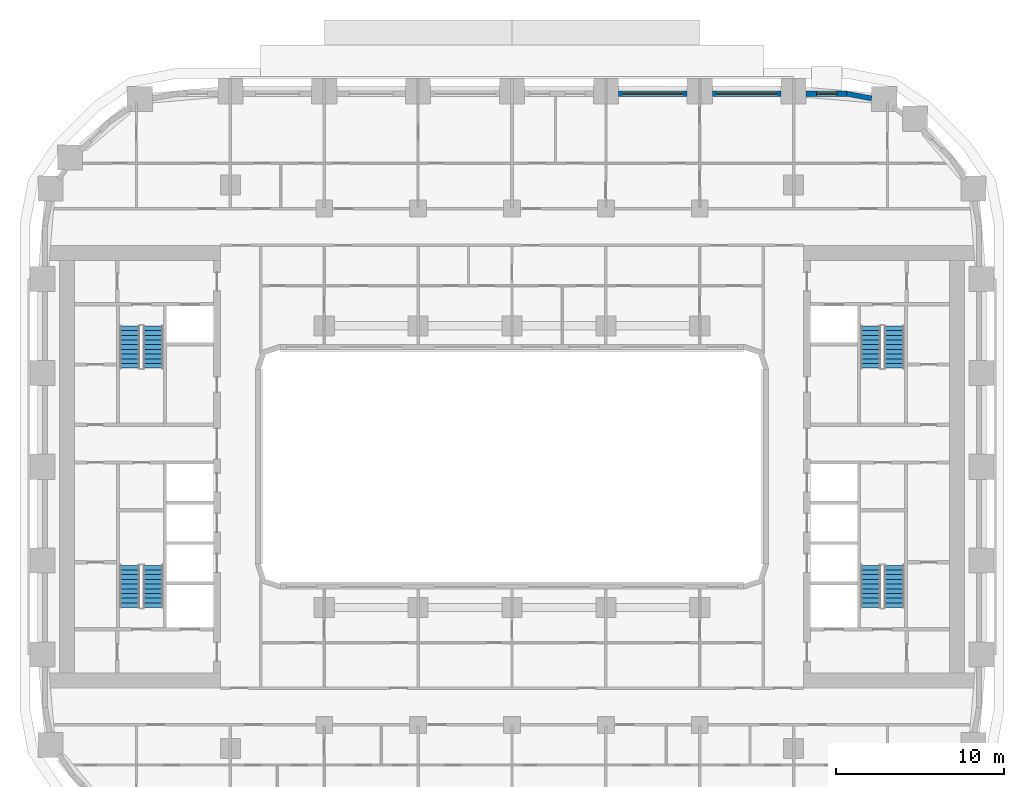
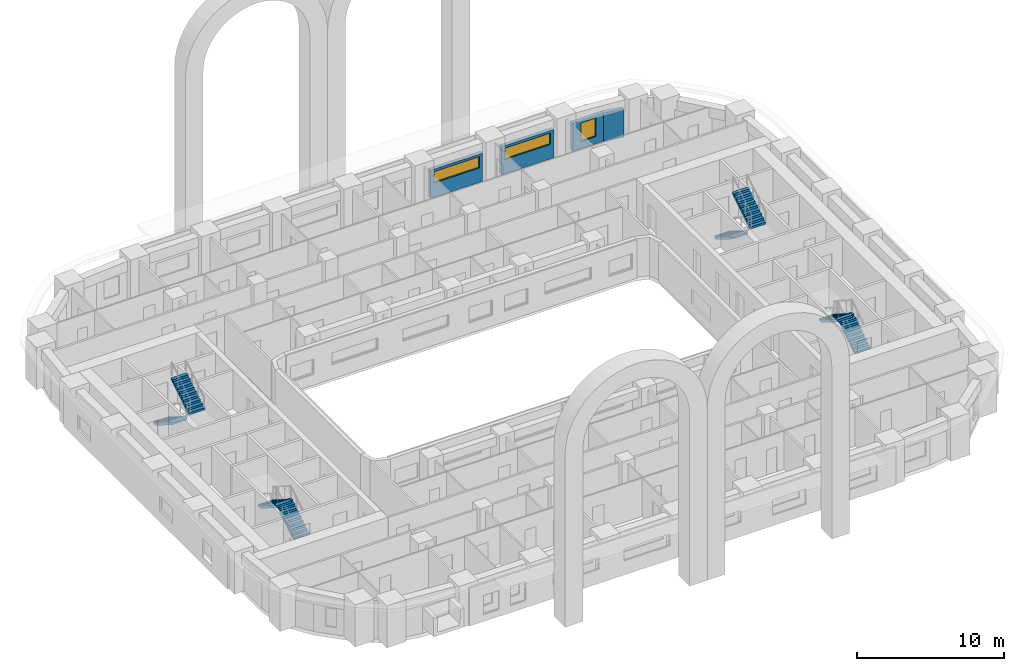
# One storey, part 10 of 21: 8 stair flights, 4 walls, 3 windows, 3 openings, 4 elements without a shape of their own.
"""IFC4 building model written with IfcOpenShell, lengths in metres."""

from ifc_helpers import new_model, si_unit, direction, frame, frame_2d, origin, place, context, subcontext, project, spatial, polyline, rectangle, outline, extrude, material, layer, layer_set, type_object, element, fill, aggregate, save


model = new_model("IFC4")

# Units and contexts
model_context = context("Model", 3, precision=1e-05, world=origin(), true_north=direction((0.0, 1.0)))
body_context = subcontext(model_context, "Body", "Model", "MODEL_VIEW")
ifc_project = project(units=[si_unit("LENGTHUNIT", "METRE"), si_unit("AREAUNIT", "SQUARE_METRE"), si_unit("VOLUMEUNIT", "CUBIC_METRE"), si_unit("PLANEANGLEUNIT", "RADIAN"), si_unit("MASSUNIT", "GRAM", prefix="KILO")], contexts=[model_context])

# Site, building, storey
site_placement = place(None, origin())
site = spatial("IfcSite", under=ifc_project, at=site_placement, CompositionType="ELEMENT")
building_placement = place(site_placement, origin())
building = spatial("IfcBuilding", under=site, at=building_placement, Name="Kiln Ring Residences", CompositionType="ELEMENT")
storey_placement = place(building_placement, frame((0.0, 0.0, 51.5)))
storey = spatial("IfcBuildingStorey", under=building, at=storey_placement, Name="L12", CompositionType="ELEMENT", Elevation=51.5)

# Wall
ifc_material_1 = material(Name="Brick masonry, dark clay brick", Category="masonry")
ifc_layer = layer(ifc_material_1, 0.300048828125)
ifc_layer_set = layer_set([ifc_layer], Name="EW-300 BRICK WALL")
wall_type = type_object("IfcWallType", Name="EW-300 BRICK WALL", PredefinedType="SOLIDWALL", material=ifc_layer_set)
wall_1_placement = place(storey_placement, frame((21.451416015625, 21.970458984375, 0.0), z_axis=(0.0, 0.0, 1.0), x_axis=(-0.982287454367, 0.187380247071, 0.0)))
element("IfcWall", 1, at=wall_1_placement, inside=storey, type_object=wall_type, Name="Facade wall L12 27", PredefinedType="SOLIDWALL", context=body_context, shape_type="SweptSolid", body=[
    extrude(rectangle(XDim=1.506103515625, YDim=0.300048828125, at=frame_2d((0.7529296875, 0.0))), origin(), (0.0, 0.0, 1.0), 2.35009765625),
])

# Wall, opening, window
wall_2_placement = place(storey_placement, frame((20.0, 22.25, 0.0), z_axis=(0.0, 0.0, 1.0), x_axis=(-1.0, 0.0, 0.0)))
wall_2 = element("IfcWall", 2, at=wall_2_placement, inside=storey, type_object=wall_type, Name="Facade wall L12 28", PredefinedType="SOLIDWALL", context=body_context, shape_type="SweptSolid", body=[
    extrude(rectangle(XDim=2.449951171875, YDim=0.300048828125, at=frame_2d((1.22509765625, 0.0))), origin(), (0.0, 0.0, 1.0), 2.35009765625),
])
opening_1_placement = place(wall_2_placement, frame((0.625, 0.0, 0.60009765625)))
opening_1 = element("IfcOpeningElement", 3, at=opening_1_placement, cuts=wall_2, Name="Opening W1", PredefinedType="OPENING", context=body_context, shape_type="SweptSolid", body=[
    extrude(rectangle(XDim=1.199951171875, YDim=1.550048828125, at=frame_2d((0.60009765625, 0.77490234375))), frame((0.0, 0.159912109375, 0.0), z_axis=(0.0, -1.0, 0.0), x_axis=(1.0, 0.0, 0.0)), (0.0, 0.0, 1.0), 0.320068359375),
])
ifc_material_2 = material(Name="Aluminium frame with double glazing", Category="aluminium")
window_type_1 = type_object("IfcWindowType", Name="WINDOW 1200 x 1550", PartitioningType="SINGLE_PANEL", PredefinedType="WINDOW", material=ifc_material_2)
window_1_placement = place(opening_1_placement, origin())
window_1 = element("IfcWindow", 4, at=window_1_placement, inside=storey, type_object=window_type_1, Name="Window L12 13", OverallHeight=1.550048828125, OverallWidth=1.199951171875, PartitioningType="SINGLE_PANEL", PredefinedType="WINDOW", context=body_context, shape_type="SweptSolid", body=[
    extrude(rectangle(XDim=1.199951171875, YDim=1.550048828125, at=frame_2d((0.60009765625, 0.77490234375))), frame((0.0, 0.030029296875, 0.0), z_axis=(0.0, -1.0, 0.0), x_axis=(1.0, 0.0, 0.0)), (0.0, 0.0, 1.0), 0.06005859375),
])
fill(opening_1, window_1)

wall_3_placement = place(storey_placement, frame((16.050048828125, 22.25, 0.0), z_axis=(0.0, 0.0, 1.0), x_axis=(-1.0, 0.0, 0.0)))
wall_3 = element("IfcWall", 5, at=wall_3_placement, inside=storey, type_object=wall_type, Name="Facade wall L12 29", PredefinedType="SOLIDWALL", context=body_context, shape_type="SweptSolid", body=[
    extrude(rectangle(XDim=4.10009765625, YDim=0.300048828125, at=frame_2d((2.050048828125, 0.0))), origin(), (0.0, 0.0, 1.0), 2.35009765625),
])
opening_2_placement = place(wall_3_placement, frame((0.25, 0.0, 1.199951171875)))
opening_2 = element("IfcOpeningElement", 6, at=opening_2_placement, cuts=wall_3, Name="Opening W4", PredefinedType="OPENING", context=body_context, shape_type="SweptSolid", body=[
    extrude(rectangle(XDim=3.60009765625, YDim=0.949951171875, at=frame_2d((1.800048828125, 0.47509765625))), frame((0.0, 0.159912109375, 0.0), z_axis=(0.0, -1.0, 0.0), x_axis=(1.0, 0.0, 0.0)), (0.0, 0.0, 1.0), 0.320068359375),
])
ifc_material_3 = material(Name="Aluminium frame with double glazing", Category="aluminium")
window_type_2 = type_object("IfcWindowType", Name="WINDOW 3600 x 950", PartitioningType="SINGLE_PANEL", PredefinedType="WINDOW", material=ifc_material_3)
window_2_placement = place(opening_2_placement, origin())
window_2 = element("IfcWindow", 7, at=window_2_placement, inside=storey, type_object=window_type_2, Name="Window L12 14", OverallHeight=0.949951171875, OverallWidth=3.60009765625, PartitioningType="SINGLE_PANEL", PredefinedType="WINDOW", context=body_context, shape_type="SweptSolid", body=[
    extrude(rectangle(XDim=3.60009765625, YDim=0.949951171875, at=frame_2d((1.800048828125, 0.47509765625))), frame((0.0, 0.030029296875, 0.0), z_axis=(0.0, -1.0, 0.0), x_axis=(1.0, 0.0, 0.0)), (0.0, 0.0, 1.0), 0.06005859375),
])
fill(opening_2, window_2)

wall_4_placement = place(storey_placement, frame((10.449951171875, 22.25, 0.0), z_axis=(0.0, 0.0, 1.0), x_axis=(-1.0, 0.0, 0.0)))
wall_4 = element("IfcWall", 8, at=wall_4_placement, inside=storey, type_object=wall_type, Name="Facade wall L12 30", PredefinedType="SOLIDWALL", context=body_context, shape_type="SweptSolid", body=[
    extrude(rectangle(XDim=4.099853515625, YDim=0.300048828125, at=frame_2d((2.0498046875, 0.0))), origin(), (0.0, 0.0, 1.0), 2.35009765625),
])
opening_3_placement = place(wall_4_placement, frame((0.25, 0.0, 1.199951171875)))
opening_3 = element("IfcOpeningElement", 9, at=opening_3_placement, cuts=wall_4, Name="Opening W4", PredefinedType="OPENING", context=body_context, shape_type="SweptSolid", body=[
    extrude(rectangle(XDim=3.60009765625, YDim=0.949951171875, at=frame_2d((1.800048828125, 0.47509765625))), frame((0.0, 0.159912109375, 0.0), z_axis=(0.0, -1.0, 0.0), x_axis=(1.0, 0.0, 0.0)), (0.0, 0.0, 1.0), 0.320068359375),
])
window_3_placement = place(opening_3_placement, origin())
window_3 = element("IfcWindow", 10, at=window_3_placement, inside=storey, type_object=window_type_2, Name="Window L12 15", OverallHeight=0.949951171875, OverallWidth=3.60009765625, PartitioningType="SINGLE_PANEL", PredefinedType="WINDOW", context=body_context, shape_type="SweptSolid", body=[
    extrude(rectangle(XDim=3.60009765625, YDim=0.949951171875, at=frame_2d((1.800048828125, 0.47509765625))), frame((0.0, 0.030029296875, 0.0), z_axis=(0.0, -1.0, 0.0), x_axis=(1.0, 0.0, 0.0)), (0.0, 0.0, 1.0), 0.06005859375),
])
fill(opening_3, window_3)

# Stair, stair flights
ifc_material_4 = material(Name="Concrete C40/50", Category="concrete")
stair_type = type_object("IfcStairType", Name="CORE-STAIR", PredefinedType="HALF_TURN_STAIR", material=ifc_material_4)
placement = place(storey_placement, origin())
stair_1 = element("IfcStair", 11, at=placement, inside=storey, type_object=stair_type, Name="L12 stair W-STN", PredefinedType="HALF_TURN_STAIR")
ifc_material_5 = material(Name="Concrete C40/50", Category="concrete")
stair_flight_type = type_object("IfcStairFlightType", Name="CORE-STAIR-FLIGHT", PredefinedType="STRAIGHT", material=ifc_material_5)
stair_flight_1_placement = place(storey_placement, frame((-22.800048828125, 8.39990234375, 0.0), z_axis=(0.0, 0.0, 1.0), x_axis=(0.0, -1.0, 0.0)))
stair_flight_1 = element("IfcStairFlight", 12, at=stair_flight_1_placement, type_object=stair_flight_type, Name="W-STN flight 1", NumberOfRisers=10, NumberOfTreads=9, PredefinedType="STRAIGHT", RiserHeight=0.175, TreadLength=0.28, context=body_context, shape_type="SweptSolid", body=[
    extrude(outline(polyline([(0.0, 0.0), (0.0, 0.175048828125), (0.280029296875, 0.175048828125), (0.280029296875, 0.35009765625), (0.56005859375, 0.35009765625), (0.56005859375, 0.52490234375), (0.840087890625, 0.52490234375), (0.840087890625, 0.699951171875), (1.1201171875, 0.699951171875), (1.1201171875, 0.875), (1.39990234375, 0.875), (1.39990234375, 1.050048828125), (1.679931640625, 1.050048828125), (1.679931640625, 1.22509765625), (1.9599609375, 1.22509765625), (1.9599609375, 1.39990234375), (2.239990234375, 1.39990234375), (2.239990234375, 1.574951171875), (2.52001953125, 1.574951171875), (2.52001953125, 1.75), (2.52001953125, 1.398193359375), (0.28271484375, 0.0), (0.0, 0.0)])), frame((0.0, 0.60009765625, 0.0), z_axis=(0.0, -1.0, 0.0), x_axis=(1.0, 0.0, 0.0)), (0.0, 0.0, 1.0), 1.199951171875),
])
stair_flight_2_placement = place(storey_placement, frame((-21.39990234375, 5.8798828125, 1.75), z_axis=(0.0, 0.0, 1.0), x_axis=(0.0, 1.0, 0.0)))
stair_flight_2 = element("IfcStairFlight", 13, at=stair_flight_2_placement, type_object=stair_flight_type, Name="W-STN flight 2", NumberOfRisers=10, NumberOfTreads=9, PredefinedType="STRAIGHT", RiserHeight=0.175, TreadLength=0.28, context=body_context, shape_type="SweptSolid", body=[
    extrude(outline(polyline([(0.0, 0.0), (0.0, 0.175048828125), (0.280029296875, 0.175048828125), (0.280029296875, 0.35009765625), (0.56005859375, 0.35009765625), (0.56005859375, 0.52490234375), (0.840087890625, 0.52490234375), (0.840087890625, 0.699951171875), (1.1201171875, 0.699951171875), (1.1201171875, 0.875), (1.39990234375, 0.875), (1.39990234375, 1.050048828125), (1.679931640625, 1.050048828125), (1.679931640625, 1.22509765625), (1.9599609375, 1.22509765625), (1.9599609375, 1.39990234375), (2.239990234375, 1.39990234375), (2.239990234375, 1.574951171875), (2.52001953125, 1.574951171875), (2.52001953125, 1.75), (2.52001953125, 1.398193359375), (0.28271484375, 0.0), (0.0, 0.0)])), frame((0.0, 0.60009765625, 0.0), z_axis=(0.0, -1.0, 0.0), x_axis=(1.0, 0.0, 0.0)), (0.0, 0.0, 1.0), 1.199951171875),
])
aggregate(stair_1, [stair_flight_1, stair_flight_2])

stair_2 = element("IfcStair", 14, at=placement, inside=storey, type_object=stair_type, Name="L12 stair W-STS", PredefinedType="HALF_TURN_STAIR")
stair_flight_3_placement = place(storey_placement, frame((-21.39990234375, -8.39990234375, 0.0), z_axis=(0.0, 0.0, 1.0), x_axis=(0.0, 1.0, 0.0)))
stair_flight_3 = element("IfcStairFlight", 15, at=stair_flight_3_placement, type_object=stair_flight_type, Name="W-STS flight 1", NumberOfRisers=10, NumberOfTreads=9, PredefinedType="STRAIGHT", RiserHeight=0.175, TreadLength=0.28, context=body_context, shape_type="SweptSolid", body=[
    extrude(outline(polyline([(0.0, 0.0), (0.0, 0.175048828125), (0.280029296875, 0.175048828125), (0.280029296875, 0.35009765625), (0.56005859375, 0.35009765625), (0.56005859375, 0.52490234375), (0.840087890625, 0.52490234375), (0.840087890625, 0.699951171875), (1.1201171875, 0.699951171875), (1.1201171875, 0.875), (1.39990234375, 0.875), (1.39990234375, 1.050048828125), (1.679931640625, 1.050048828125), (1.679931640625, 1.22509765625), (1.9599609375, 1.22509765625), (1.9599609375, 1.39990234375), (2.239990234375, 1.39990234375), (2.239990234375, 1.574951171875), (2.52001953125, 1.574951171875), (2.52001953125, 1.75), (2.52001953125, 1.398193359375), (0.28271484375, 0.0), (0.0, 0.0)])), frame((0.0, 0.60009765625, 0.0), z_axis=(0.0, -1.0, 0.0), x_axis=(1.0, 0.0, 0.0)), (0.0, 0.0, 1.0), 1.199951171875),
])
stair_flight_4_placement = place(storey_placement, frame((-22.800048828125, -5.8798828125, 1.75), z_axis=(0.0, 0.0, 1.0), x_axis=(0.0, -1.0, 0.0)))
stair_flight_4 = element("IfcStairFlight", 16, at=stair_flight_4_placement, type_object=stair_flight_type, Name="W-STS flight 2", NumberOfRisers=10, NumberOfTreads=9, PredefinedType="STRAIGHT", RiserHeight=0.175, TreadLength=0.28, context=body_context, shape_type="SweptSolid", body=[
    extrude(outline(polyline([(0.0, 0.0), (0.0, 0.175048828125), (0.280029296875, 0.175048828125), (0.280029296875, 0.35009765625), (0.56005859375, 0.35009765625), (0.56005859375, 0.52490234375), (0.840087890625, 0.52490234375), (0.840087890625, 0.699951171875), (1.1201171875, 0.699951171875), (1.1201171875, 0.875), (1.39990234375, 0.875), (1.39990234375, 1.050048828125), (1.679931640625, 1.050048828125), (1.679931640625, 1.22509765625), (1.9599609375, 1.22509765625), (1.9599609375, 1.39990234375), (2.239990234375, 1.39990234375), (2.239990234375, 1.574951171875), (2.52001953125, 1.574951171875), (2.52001953125, 1.75), (2.52001953125, 1.398193359375), (0.28271484375, 0.0), (0.0, 0.0)])), frame((0.0, 0.60009765625, 0.0), z_axis=(0.0, -1.0, 0.0), x_axis=(1.0, 0.0, 0.0)), (0.0, 0.0, 1.0), 1.199951171875),
])
aggregate(stair_2, [stair_flight_3, stair_flight_4])

stair_3 = element("IfcStair", 17, at=placement, inside=storey, type_object=stair_type, Name="L12 stair E-STN", PredefinedType="HALF_TURN_STAIR")
stair_flight_5_placement = place(storey_placement, frame((21.39990234375, 8.39990234375, 0.0), z_axis=(0.0, 0.0, 1.0), x_axis=(0.0, -1.0, 0.0)))
stair_flight_5 = element("IfcStairFlight", 18, at=stair_flight_5_placement, type_object=stair_flight_type, Name="E-STN flight 1", NumberOfRisers=10, NumberOfTreads=9, PredefinedType="STRAIGHT", RiserHeight=0.175, TreadLength=0.28, context=body_context, shape_type="SweptSolid", body=[
    extrude(outline(polyline([(0.0, 0.0), (0.0, 0.175048828125), (0.280029296875, 0.175048828125), (0.280029296875, 0.35009765625), (0.56005859375, 0.35009765625), (0.56005859375, 0.52490234375), (0.840087890625, 0.52490234375), (0.840087890625, 0.699951171875), (1.1201171875, 0.699951171875), (1.1201171875, 0.875), (1.39990234375, 0.875), (1.39990234375, 1.050048828125), (1.679931640625, 1.050048828125), (1.679931640625, 1.22509765625), (1.9599609375, 1.22509765625), (1.9599609375, 1.39990234375), (2.239990234375, 1.39990234375), (2.239990234375, 1.574951171875), (2.52001953125, 1.574951171875), (2.52001953125, 1.75), (2.52001953125, 1.398193359375), (0.28271484375, 0.0), (0.0, 0.0)])), frame((0.0, 0.60009765625, 0.0), z_axis=(0.0, -1.0, 0.0), x_axis=(1.0, 0.0, 0.0)), (0.0, 0.0, 1.0), 1.199951171875),
])
stair_flight_6_placement = place(storey_placement, frame((22.800048828125, 5.8798828125, 1.75), z_axis=(0.0, 0.0, 1.0), x_axis=(0.0, 1.0, 0.0)))
stair_flight_6 = element("IfcStairFlight", 19, at=stair_flight_6_placement, type_object=stair_flight_type, Name="E-STN flight 2", NumberOfRisers=10, NumberOfTreads=9, PredefinedType="STRAIGHT", RiserHeight=0.175, TreadLength=0.28, context=body_context, shape_type="SweptSolid", body=[
    extrude(outline(polyline([(0.0, 0.0), (0.0, 0.175048828125), (0.280029296875, 0.175048828125), (0.280029296875, 0.35009765625), (0.56005859375, 0.35009765625), (0.56005859375, 0.52490234375), (0.840087890625, 0.52490234375), (0.840087890625, 0.699951171875), (1.1201171875, 0.699951171875), (1.1201171875, 0.875), (1.39990234375, 0.875), (1.39990234375, 1.050048828125), (1.679931640625, 1.050048828125), (1.679931640625, 1.22509765625), (1.9599609375, 1.22509765625), (1.9599609375, 1.39990234375), (2.239990234375, 1.39990234375), (2.239990234375, 1.574951171875), (2.52001953125, 1.574951171875), (2.52001953125, 1.75), (2.52001953125, 1.398193359375), (0.28271484375, 0.0), (0.0, 0.0)])), frame((0.0, 0.60009765625, 0.0), z_axis=(0.0, -1.0, 0.0), x_axis=(1.0, 0.0, 0.0)), (0.0, 0.0, 1.0), 1.199951171875),
])
aggregate(stair_3, [stair_flight_5, stair_flight_6])

stair_4 = element("IfcStair", 20, at=placement, inside=storey, type_object=stair_type, Name="L12 stair E-STS", PredefinedType="HALF_TURN_STAIR")
stair_flight_7_placement = place(storey_placement, frame((22.800048828125, -8.39990234375, 0.0), z_axis=(0.0, 0.0, 1.0), x_axis=(0.0, 1.0, 0.0)))
stair_flight_7 = element("IfcStairFlight", 21, at=stair_flight_7_placement, type_object=stair_flight_type, Name="E-STS flight 1", NumberOfRisers=10, NumberOfTreads=9, PredefinedType="STRAIGHT", RiserHeight=0.175, TreadLength=0.28, context=body_context, shape_type="SweptSolid", body=[
    extrude(outline(polyline([(0.0, 0.0), (0.0, 0.175048828125), (0.280029296875, 0.175048828125), (0.280029296875, 0.35009765625), (0.56005859375, 0.35009765625), (0.56005859375, 0.52490234375), (0.840087890625, 0.52490234375), (0.840087890625, 0.699951171875), (1.1201171875, 0.699951171875), (1.1201171875, 0.875), (1.39990234375, 0.875), (1.39990234375, 1.050048828125), (1.679931640625, 1.050048828125), (1.679931640625, 1.22509765625), (1.9599609375, 1.22509765625), (1.9599609375, 1.39990234375), (2.239990234375, 1.39990234375), (2.239990234375, 1.574951171875), (2.52001953125, 1.574951171875), (2.52001953125, 1.75), (2.52001953125, 1.398193359375), (0.28271484375, 0.0), (0.0, 0.0)])), frame((0.0, 0.60009765625, 0.0), z_axis=(0.0, -1.0, 0.0), x_axis=(1.0, 0.0, 0.0)), (0.0, 0.0, 1.0), 1.199951171875),
])
stair_flight_8_placement = place(storey_placement, frame((21.39990234375, -5.8798828125, 1.75), z_axis=(0.0, 0.0, 1.0), x_axis=(0.0, -1.0, 0.0)))
stair_flight_8 = element("IfcStairFlight", 22, at=stair_flight_8_placement, type_object=stair_flight_type, Name="E-STS flight 2", NumberOfRisers=10, NumberOfTreads=9, PredefinedType="STRAIGHT", RiserHeight=0.175, TreadLength=0.28, context=body_context, shape_type="SweptSolid", body=[
    extrude(outline(polyline([(0.0, 0.0), (0.0, 0.175048828125), (0.280029296875, 0.175048828125), (0.280029296875, 0.35009765625), (0.56005859375, 0.35009765625), (0.56005859375, 0.52490234375), (0.840087890625, 0.52490234375), (0.840087890625, 0.699951171875), (1.1201171875, 0.699951171875), (1.1201171875, 0.875), (1.39990234375, 0.875), (1.39990234375, 1.050048828125), (1.679931640625, 1.050048828125), (1.679931640625, 1.22509765625), (1.9599609375, 1.22509765625), (1.9599609375, 1.39990234375), (2.239990234375, 1.39990234375), (2.239990234375, 1.574951171875), (2.52001953125, 1.574951171875), (2.52001953125, 1.75), (2.52001953125, 1.398193359375), (0.28271484375, 0.0), (0.0, 0.0)])), frame((0.0, 0.60009765625, 0.0), z_axis=(0.0, -1.0, 0.0), x_axis=(1.0, 0.0, 0.0)), (0.0, 0.0, 1.0), 1.199951171875),
])
aggregate(stair_4, [stair_flight_7, stair_flight_8])

save(model, "model.ifc")
